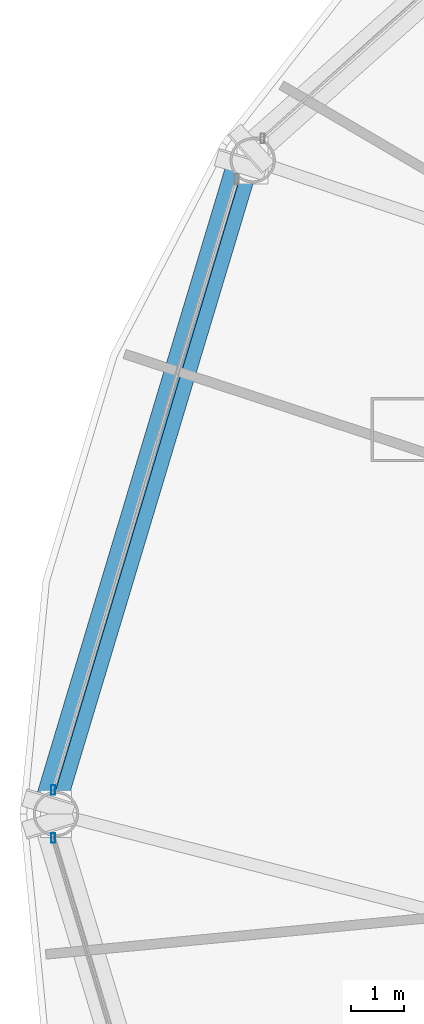
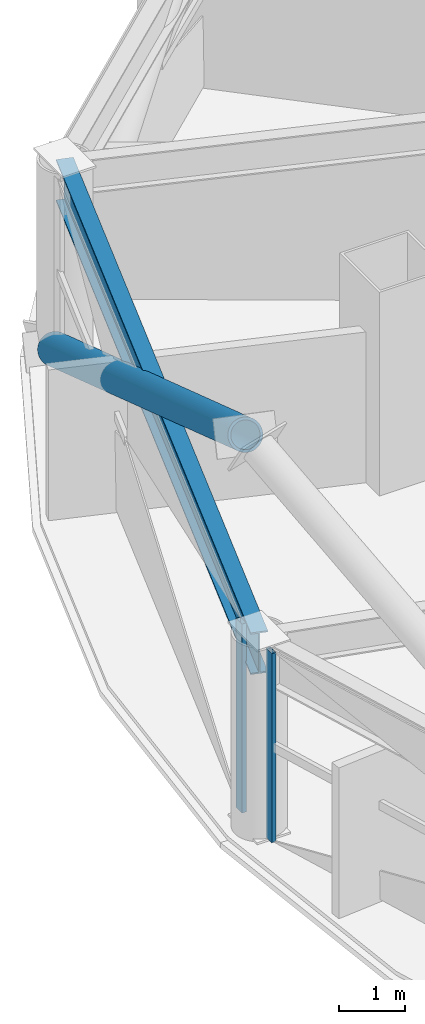
# One storey, part 6 of 30: 3 members, 1 beam, 2 elements without a shape of their own.
"""IFC4 building model written with IfcOpenShell, lengths in metres."""

import ifcopenshell
import ifcopenshell.guid

model = None  # the IFC model being written
_history = None  # IfcOwnerHistory: only IFC2X3 demands one
_inside = {}  # id of a spatial element -> (the spatial element, [elements in it])
_under = {}  # id of a project, library or spatial element -> (it, [spatial elements below it])
_declared = {}  # id of a project -> (the project, [libraries it declares])
_typed = {}  # id of a type object -> (the type object, [elements of that type])
_made_of = {}  # id of a material, layer set ... -> (it, [elements and type objects made of it])


def new_model(schema):
    """Start an empty IFC model of exactly this schema.

    Asked for "IFC4X3", IfcOpenShell would pick the latest addendum, in which some entities
    have other attributes; the version numbers below select the first issue.
    IFC2X3 requires an IfcOwnerHistory on every rooted entity: one is made here for all.
    """
    global model, _history
    if schema == "IFC4X3":
        model = ifcopenshell.file(schema_version=(4, 3, 0, 0))
    else:
        model = ifcopenshell.file(schema=schema)
    _inside.clear()
    _under.clear()
    _declared.clear()
    _typed.clear()
    _made_of.clear()
    _history = None
    if model.schema == "IFC2X3":
        org = make("IfcOrganization", Name="unknown")
        user = make(
            "IfcPersonAndOrganization",
            ThePerson=make("IfcPerson", FamilyName="unknown"),
            TheOrganization=org,
        )
        app = make(
            "IfcApplication",
            ApplicationDeveloper=org,
            Version="unknown",
            ApplicationFullName="unknown",
            ApplicationIdentifier="unknown",
        )
        _history = make(
            "IfcOwnerHistory",
            OwningUser=user,
            OwningApplication=app,
            ChangeAction="ADDED",
            CreationDate=0,
        )
    return model


def make(cls, **values):
    """One entity of the class cls with the attributes given. An attribute that is None is left unset."""
    return model.create_entity(
        cls, **{name: value for name, value in values.items() if value is not None}
    )


def rooted(cls, **values):
    """An entity with a GlobalId (a new one), such as an element, a storey or a relation."""
    return make(cls, GlobalId=ifcopenshell.guid.new(), OwnerHistory=_history, **values)


def si_unit(unit_type, name, prefix=None):
    """IfcSIUnit, for example si_unit("LENGTHUNIT", "METRE", prefix="MILLI")."""
    return make("IfcSIUnit", UnitType=unit_type, Prefix=prefix, Name=name)


def assignment(units):
    """IfcUnitAssignment: the units of a project."""
    return None if units is None else make("IfcUnitAssignment", Units=units)


def point(xyz):
    """IfcCartesianPoint."""
    return None if xyz is None else make("IfcCartesianPoint", Coordinates=xyz)


def direction(xyz):
    """IfcDirection."""
    return None if xyz is None else make("IfcDirection", DirectionRatios=xyz)


def frame(location, z_axis=None, x_axis=None):
    """IfcAxis2Placement3D, a coordinate frame: its origin and axes. An axis left out is left unset."""
    return make(
        "IfcAxis2Placement3D",
        Location=point(location),
        Axis=direction(z_axis),
        RefDirection=direction(x_axis),
    )


def frame_2d(location, x_axis=None):
    """IfcAxis2Placement2D, a coordinate frame in the plane: its origin and x axis."""
    return make(
        "IfcAxis2Placement2D", Location=point(location), RefDirection=direction(x_axis)
    )


def origin():
    """The frame at (0, 0, 0) with its axes left unset."""
    return frame((0.0, 0.0, 0.0))


def origin_2d():
    """The frame at (0, 0) in the plane with its x axis left unset."""
    return frame_2d((0.0, 0.0))


def place(relative_to, where):
    """IfcLocalPlacement: puts the frame where relative to a parent placement (None: the world)."""
    return make(
        "IfcLocalPlacement", PlacementRelTo=relative_to, RelativePlacement=where
    )


def context(
    kind, dimensions, precision=None, world=None, true_north=None, identifier=None
):
    """IfcGeometricRepresentationContext, for example the 3D "Model" context."""
    return make(
        "IfcGeometricRepresentationContext",
        ContextIdentifier=identifier,
        ContextType=kind,
        CoordinateSpaceDimension=dimensions,
        Precision=precision,
        WorldCoordinateSystem=world,
        TrueNorth=true_north,
    )


def subcontext(parent, identifier, kind, view, scale=None):
    """IfcGeometricRepresentationSubContext, for example "Body" below "Model"."""
    return make(
        "IfcGeometricRepresentationSubContext",
        ContextIdentifier=identifier,
        ContextType=kind,
        ParentContext=parent,
        TargetScale=scale,
        TargetView=view,
    )


def project(units=None, contexts=None):
    """IfcProject with its units and contexts."""
    return rooted(
        "IfcProject",
        Name="project",
        RepresentationContexts=contexts,
        UnitsInContext=assignment(units),
    )


def spatial(cls, under=None, at=None, **own):
    """A site, building, storey or space (cls), placed at a placement, below another one or the project."""
    s = rooted(cls, ObjectPlacement=at, **own)
    if under is not None:
        _under.setdefault(under.id(), (under, []))[1].append(s)
    return s


def profile(cls, at=None, kind="AREA", **sizes):
    """A parametric profile (cls). Its sizes go by their IFC names, for example OverallWidth=200.0."""
    return make(cls, ProfileType=kind, Position=at, **sizes)


def hollow_rectangle(**sizes):
    """IfcRectangleHollowProfileDef."""
    return profile("IfcRectangleHollowProfileDef", **sizes)


def hollow_circle(**sizes):
    """IfcCircleHollowProfileDef."""
    return profile("IfcCircleHollowProfileDef", **sizes)


def i_section(**sizes):
    """IfcIShapeProfileDef."""
    return profile("IfcIShapeProfileDef", **sizes)


def extrude(swept, where, along, depth):
    """IfcExtrudedAreaSolid: the profile swept, set in the frame where, extruded along a direction by depth."""
    return make(
        "IfcExtrudedAreaSolid",
        SweptArea=swept,
        Position=where,
        ExtrudedDirection=direction(along),
        Depth=depth,
    )


def shape(context_of_items, identifier, shape_type, items):
    """IfcShapeRepresentation: the items that make up one representation, for example the "Body"."""
    return make(
        "IfcShapeRepresentation",
        ContextOfItems=context_of_items,
        RepresentationIdentifier=identifier,
        RepresentationType=shape_type,
        Items=items,
    )


def material(Name=None, Category=None):
    """IfcMaterial."""
    return make("IfcMaterial", Name=Name, Category=Category)


def layer(
    of_material, thickness, ventilated=None, Name=None, Category=None, Priority=None
):
    """IfcMaterialLayer: one layer of a wall or slab, of a material (None: an air gap)."""
    return make(
        "IfcMaterialLayer",
        Material=of_material,
        LayerThickness=thickness,
        IsVentilated=ventilated,
        Name=Name,
        Category=Category,
        Priority=Priority,
    )


def layer_set(layers, Name=None):
    """IfcMaterialLayerSet."""
    return make("IfcMaterialLayerSet", MaterialLayers=layers, LayerSetName=Name)


def material_profile(
    of_material, cross_section, Name=None, Category=None, Priority=None
):
    """IfcMaterialProfile: a cross section and its material."""
    return make(
        "IfcMaterialProfile",
        Name=Name,
        Material=of_material,
        Profile=cross_section,
        Priority=Priority,
        Category=Category,
    )


def profile_set(profiles, Name=None, composite=None):
    """IfcMaterialProfileSet."""
    return make(
        "IfcMaterialProfileSet",
        Name=Name,
        MaterialProfiles=profiles,
        CompositeProfile=composite,
    )


def made_of(thing, what):
    """Note that an element or type object is made of a material, layer set ...; save() writes the relation."""
    if what is not None:
        _made_of.setdefault(what.id(), (what, []))[1].append(thing)
    return thing


def type_object(cls, material=None, **own):
    """A type object (cls), such as IfcWallType, which elements share."""
    return made_of(rooted(cls, **own), material)


def element(
    cls,
    number,
    at=None,
    inside=None,
    cuts=None,
    type_object=None,
    material=None,
    context=None,
    identifier="Body",
    shape_type=None,
    held_by="IfcProductDefinitionShape",
    body=None,
    shapes=None,
    **own,
):
    """One element of the class cls, such as IfcWall. Its Tag is "e" and its number.

    at: its placement. inside: the storey or other place that contains it. cuts: it is an
    opening in that element (IfcRelVoidsElement). A single representation is given by context,
    identifier, shape_type and body (its items); several are given by shapes. held_by: the class
    of the entity that holds the representations. save() writes the other relations.
    """
    e = rooted(cls, Tag="e%d" % number, ObjectPlacement=at, **own)
    if body is not None:
        shapes = [shape(context, identifier, shape_type, body)]
    if shapes is not None:
        e.Representation = make(held_by, Representations=shapes)
    if inside is not None:
        _inside.setdefault(inside.id(), (inside, []))[1].append(e)
    if cuts is not None:
        rooted(
            "IfcRelVoidsElement", RelatingBuildingElement=cuts, RelatedOpeningElement=e
        )
    if type_object is not None:
        _typed.setdefault(type_object.id(), (type_object, []))[1].append(e)
    return made_of(e, material)


def aggregate(whole, parts):
    """IfcRelAggregates: a whole, such as a stair, and the parts it consists of."""
    return rooted("IfcRelAggregates", RelatingObject=whole, RelatedObjects=parts)


def save(model, path):
    """Write the relations noted so far, then the file.

    IfcRelAggregates (storeys below a building ...), IfcRelContainedInSpatialStructure (elements
    in a storey), IfcRelDefinesByType, IfcRelAssociatesMaterial and IfcRelDeclares: one each for
    every whole, place, type object, material and project.
    """
    for whole, parts in _under.values():
        aggregate(whole, parts)
    for where, things in _inside.values():
        rooted(
            "IfcRelContainedInSpatialStructure",
            RelatedElements=things,
            RelatingStructure=where,
        )
    for kind, things in _typed.values():
        rooted("IfcRelDefinesByType", RelatedObjects=things, RelatingType=kind)
    for what, things in _made_of.values():
        rooted("IfcRelAssociatesMaterial", RelatedObjects=things, RelatingMaterial=what)
    for by, libraries in _declared.values():
        rooted("IfcRelDeclares", RelatingContext=by, RelatedDefinitions=libraries)
    model.write(path)


model = new_model("IFC4")

# Units and contexts
model_context = context("Model", 3, precision=1e-05, world=origin(), true_north=direction((0.0, 1.0)))
body_context = subcontext(model_context, "Body", "Model", "MODEL_VIEW")
ifc_project = project(units=[si_unit("LENGTHUNIT", "METRE"), si_unit("AREAUNIT", "SQUARE_METRE"), si_unit("VOLUMEUNIT", "CUBIC_METRE"), si_unit("PLANEANGLEUNIT", "RADIAN"), si_unit("MASSUNIT", "GRAM", prefix="KILO")], contexts=[model_context])

# Site, building, storey
site_placement = place(None, origin())
site = spatial("IfcSite", under=ifc_project, at=site_placement, CompositionType="ELEMENT")
building_placement = place(site_placement, origin())
building = spatial("IfcBuilding", under=site, at=building_placement, Name="Vantalir Tower", CompositionType="ELEMENT")
storey_placement = place(building_placement, frame((0.0, 0.0, 79.5)))
storey = spatial("IfcBuildingStorey", under=building, at=storey_placement, Name="L19", CompositionType="ELEMENT", Elevation=79.5)

# Beam
ifc_material_1 = material(Name="Steel S460", Category="steel")
ifc_material_profile_1 = material_profile(ifc_material_1, i_section(OverallWidth=0.26806640625, OverallDepth=0.77001953125, WebThickness=0.015625, FlangeThickness=0.025390625, at=origin_2d()), Name="Steel S460")
ifc_profile_set_1 = profile_set([ifc_material_profile_1], Name="Steel S460")
beam_type = type_object("IfcBeamType", Name="BM-RG-762x267", PredefinedType="USERDEFINED", material=ifc_profile_set_1)
beam_placement = place(storey_placement, frame((7.68408203125, 37.2470703125, 3.18505859375), z_axis=(-0.288062352819, -0.957611654528, 0.0), x_axis=(0.957611654528, -0.288062352819, 0.0)))
element("IfcBeam", 1, at=beam_placement, inside=storey, type_object=beam_type, Name="L19 Circumferential Ring Girder 06", ObjectType="GIRDER", PredefinedType="USERDEFINED", context=body_context, shape_type="SweptSolid", body=[
    extrude(i_section(OverallWidth=0.26806640625, OverallDepth=0.77001953125, WebThickness=0.015625, FlangeThickness=0.025390625, at=origin_2d()), origin(), (0.0, 0.0, 1.0), 12.7890625),
])

# Curtain wall, member
ifc_material_2 = material(Name="Champagne-silver PVDF aluminium and double-silver Low-E glass", Category="aluminium")
ifc_layer = layer(ifc_material_2, 0.18994140625)
ifc_layer_set = layer_set([ifc_layer], Name="Champagne-silver PVDF aluminium and double-silver Low-E glass")
curtain_wall_type = type_object("IfcCurtainWallType", Name="CW-DIAMOND-Z1", PredefinedType="USERDEFINED", material=ifc_layer_set)
curtain_wall_1_placement = place(storey_placement, origin())
curtain_wall_1 = element("IfcCurtainWall", 2, at=curtain_wall_1_placement, inside=storey, type_object=curtain_wall_type, Name="L19 Quilted Pyramid-Diamond Curtain Wall S06", ObjectType="UNITISED CURTAIN WALL", PredefinedType="USERDEFINED")
ifc_material_3 = material(Name="Champagne-silver PVDF aluminium 6063-T6", Category="aluminium")
ifc_material_profile_2 = material_profile(ifc_material_3, hollow_rectangle(XDim=0.074951171875, YDim=0.179931640625, WallThickness=0.00390625, at=origin_2d()), Name="Champagne-silver PVDF aluminium 6063-T6")
ifc_profile_set_2 = profile_set([ifc_material_profile_2], Name="Champagne-silver PVDF aluminium 6063-T6")
member_type_1 = type_object("IfcMemberType", Name="CWM-180x75", PredefinedType="MULLION", material=ifc_profile_set_2)
member_1_placement = place(storey_placement, frame((3.945068359375, 25.449951171875, 0.044921875), z_axis=(0.0, 0.0, 1.0), x_axis=(1.0, 0.0, 0.0)))
member_1 = element("IfcMember", 3, at=member_1_placement, type_object=member_type_1, Name="CW-L19-S06 Mullion 2", PredefinedType="MULLION", context=body_context, shape_type="SweptSolid", body=[
    extrude(hollow_rectangle(XDim=0.074951171875, YDim=0.179931640625, WallThickness=0.00390625, at=origin_2d()), origin(), (0.0, 0.0, 1.0), 3.47998046875),
])
aggregate(curtain_wall_1, [member_1])

curtain_wall_2_placement = place(storey_placement, origin())
curtain_wall_2 = element("IfcCurtainWall", 4, at=curtain_wall_2_placement, inside=storey, type_object=curtain_wall_type, Name="L19 Quilted Pyramid-Diamond Curtain Wall S07", ObjectType="UNITISED CURTAIN WALL", PredefinedType="USERDEFINED")
member_2_placement = place(storey_placement, frame((3.945068359375, 24.550048828125, 0.044921875), z_axis=(0.0, 0.0, 1.0), x_axis=(1.0, 0.0, 0.0)))
member_2 = element("IfcMember", 5, at=member_2_placement, type_object=member_type_1, Name="CW-L19-S07 Mullion 1", PredefinedType="MULLION", context=body_context, shape_type="SweptSolid", body=[
    extrude(hollow_rectangle(XDim=0.074951171875, YDim=0.179931640625, WallThickness=0.00390625, at=origin_2d()), origin(), (0.0, 0.0, 1.0), 3.47998046875),
])
aggregate(curtain_wall_2, [member_2])

# Member
ifc_material_profile_3 = material_profile(ifc_material_1, hollow_circle(Radius=0.27001953125, WallThickness=0.044921875, at=origin_2d()), Name="Steel S460")
ifc_profile_set_3 = profile_set([ifc_material_profile_3], Name="Steel S460")
member_type_2 = type_object("IfcMemberType", Name="MEM-DB-540x45", PredefinedType="BRACE", material=ifc_profile_set_3)
member_3_placement = place(storey_placement, frame((7.465087890625, 37.157958984375, 0.18701171875), z_axis=(-0.251698484614, -0.837145814314, 0.485628210074), x_axis=(0.957651449331, -0.28793002899, 0.0)))
element("IfcMember", 6, at=member_3_placement, inside=storey, type_object=member_type_2, Name="L19 Perimeter S460 Diagrid Brace R16L", PredefinedType="BRACE", context=body_context, shape_type="SweptSolid", body=[
    extrude(hollow_circle(Radius=0.27001953125, WallThickness=0.044921875, at=origin_2d()), origin(), (0.0, 0.0, 1.0), 14.30322265625),
])

save(model, "model.ifc")
